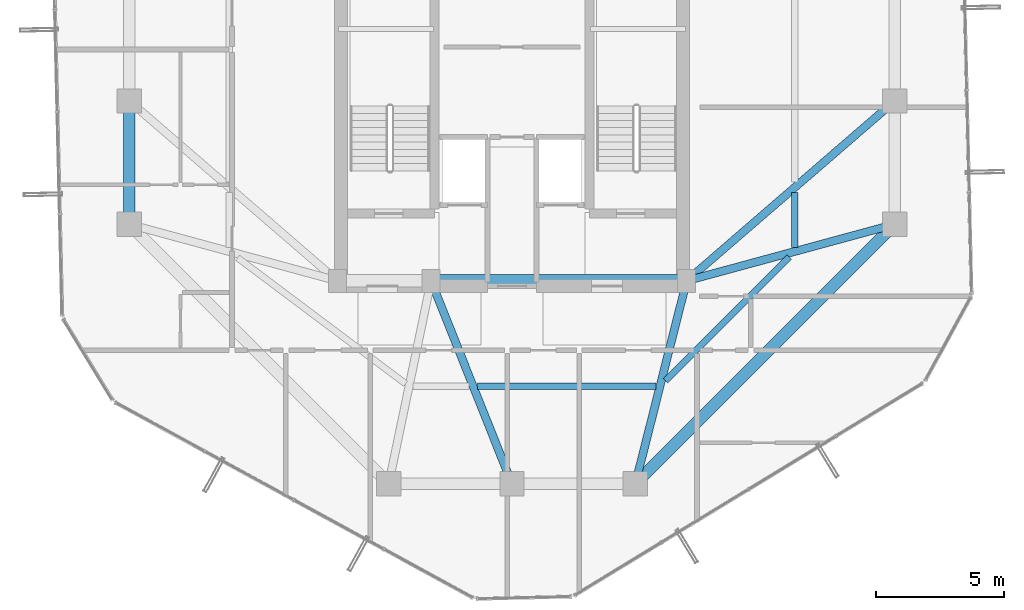
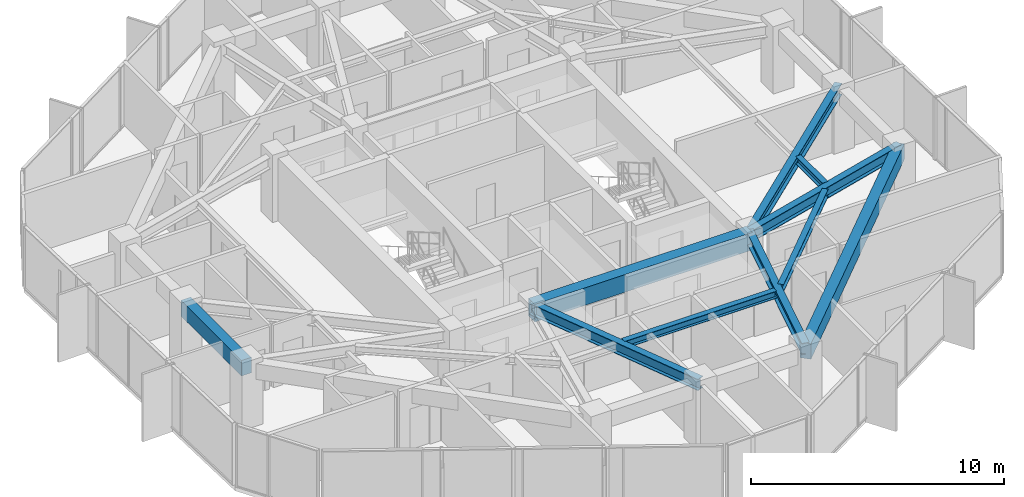
# One storey, part 11 of 32: 10 beams.
"""IFC4 building model written with IfcOpenShell, lengths in metres."""

from ifc_helpers import new_model, si_unit, direction, frame, origin, origin_2d, place, context, subcontext, project, spatial, rectangle, i_section, extrude, material, material_profile, profile_set, type_object, element, save


model = new_model("IFC4")

# Units and contexts
model_context = context("Model", 3, precision=1e-05, world=origin(), true_north=direction((0.0, 1.0)))
body_context = subcontext(model_context, "Body", "Model", "MODEL_VIEW")
ifc_project = project(units=[si_unit("LENGTHUNIT", "METRE"), si_unit("AREAUNIT", "SQUARE_METRE"), si_unit("VOLUMEUNIT", "CUBIC_METRE"), si_unit("PLANEANGLEUNIT", "RADIAN"), si_unit("MASSUNIT", "GRAM", prefix="KILO")], contexts=[model_context])

# Site, building, storey
site_placement = place(None, origin())
site = spatial("IfcSite", under=ifc_project, at=site_placement, CompositionType="ELEMENT")
building_placement = place(site_placement, origin())
building = spatial("IfcBuilding", under=site, at=building_placement, Name="Veraguas Prism Commons", CompositionType="ELEMENT")
storey_placement = place(building_placement, frame((0.0, 0.0, 201.60009765625)))
storey = spatial("IfcBuildingStorey", under=building, at=storey_placement, Name="L57", CompositionType="ELEMENT", Elevation=201.60009765625)

# Beams
ifc_material_1 = material(Name="Concrete C50/60", Category="concrete")
ifc_material_profile_1 = material_profile(ifc_material_1, rectangle(XDim=0.5, YDim=0.85009765625, at=origin_2d()), Name="RC500X850")
ifc_profile_set_1 = profile_set([ifc_material_profile_1], Name="Concrete C50/60")
beam_type_1 = type_object("IfcBeamType", Name="Core Coupling Beam RC 500x850", PredefinedType="BEAM", material=ifc_profile_set_1)
beam_1_placement = place(storey_placement, frame((20.85009765625, 17.0, 2.58984375), z_axis=(1.0, 0.0, 0.0), x_axis=(0.0, 1.0, 0.0)))
element("IfcBeam", 1, at=beam_1_placement, inside=storey, type_object=beam_type_1, Name="Core Coupling Beam L57-CRS2", PredefinedType="BEAM", context=body_context, shape_type="SweptSolid", body=[
    extrude(rectangle(XDim=0.5, YDim=0.85009765625, at=origin_2d()), origin(), (0.0, 0.0, 1.0), 9.949951171875),
])
ifc_material_profile_2 = material_profile(ifc_material_1, rectangle(XDim=0.449951171875, YDim=0.75, at=origin_2d()), Name="RC450X750")
ifc_profile_set_2 = profile_set([ifc_material_profile_2], Name="Concrete C50/60")
beam_type_2 = type_object("IfcBeamType", Name="Perimeter Spandrel Upper RC 450x750", PredefinedType="SPANDREL", material=ifc_profile_set_2)
beam_2_placement = place(storey_placement, frame((9.10009765625, 24.0, 2.639892578125), z_axis=(0.0, -1.0, 0.0), x_axis=(1.0, 0.0, 0.0)))
element("IfcBeam", 2, at=beam_2_placement, inside=storey, type_object=beam_type_2, Name="Perimeter Spandrel Beam L57-SP08", PredefinedType="SPANDREL", context=body_context, shape_type="SweptSolid", body=[
    extrude(rectangle(XDim=0.449951171875, YDim=0.75, at=origin_2d()), origin(), (0.0, 0.0, 1.0), 4.800048828125),
])
beam_3_placement = place(storey_placement, frame((28.800048828125, 9.10009765625, 2.639892578125), z_axis=(0.707106781187, 0.707106781187, 0.0), x_axis=(-0.707106781187, 0.707106781187, 0.0)))
element("IfcBeam", 3, at=beam_3_placement, inside=storey, type_object=beam_type_2, Name="Perimeter Spandrel Beam L57-SP12", PredefinedType="SPANDREL", context=body_context, shape_type="SweptSolid", body=[
    extrude(rectangle(XDim=0.449951171875, YDim=0.75, at=origin_2d()), origin(), (0.0, 0.0, 1.0), 14.283447265625),
])
ifc_material_2 = material(Name="Steel ASTM A992 Grade 50", Category="steel")
ifc_material_profile_3 = material_profile(ifc_material_2, i_section(OverallWidth=0.25390625, OverallDepth=0.35302734375, WebThickness=0.009521484375, FlangeThickness=0.016357421875, at=origin_2d()), Name="W360X91")
ifc_profile_set_3 = profile_set([ifc_material_profile_3], Name="Steel ASTM A992 Grade 50")
beam_type_3 = type_object("IfcBeamType", Name="Upper Floor Joist W360x91", PredefinedType="JOIST", material=ifc_profile_set_3)
beam_4_placement = place(storey_placement, frame((35.011962890625, 18.302978515625, 2.83837890625), z_axis=(0.0, 1.0, 0.0), x_axis=(-1.0, 0.0, 0.0)))
element("IfcBeam", 4, at=beam_4_placement, inside=storey, type_object=beam_type_3, Name="Composite Floor Joist L57-JS01", PredefinedType="JOIST", context=body_context, shape_type="SweptSolid", body=[
    extrude(i_section(OverallWidth=0.25390625, OverallDepth=0.35302734375, WebThickness=0.009521484375, FlangeThickness=0.016357421875, at=origin_2d()), origin(), (0.0, 0.0, 1.0), 2.134033203125),
])
beam_5_placement = place(storey_placement, frame((22.6533203125, 12.89208984375, 2.83837890625), z_axis=(1.0, 0.0, 0.0), x_axis=(0.0, 1.0, 0.0)))
element("IfcBeam", 5, at=beam_5_placement, inside=storey, type_object=beam_type_3, Name="Composite Floor Joist L57-JS11", PredefinedType="JOIST", context=body_context, shape_type="SweptSolid", body=[
    extrude(i_section(OverallWidth=0.25390625, OverallDepth=0.35302734375, WebThickness=0.009521484375, FlangeThickness=0.016357421875, at=origin_2d()), origin(), (0.0, 0.0, 1.0), 6.948486328125),
])
beam_6_placement = place(storey_placement, frame((29.971923828125, 13.10400390625, 2.83837890625), z_axis=(0.707124682851, 0.707088879069, 0.0), x_axis=(-0.707088879069, 0.707124682851, 0.0)))
element("IfcBeam", 6, at=beam_6_placement, inside=storey, type_object=beam_type_3, Name="Composite Floor Joist L57-JS12", PredefinedType="JOIST", context=body_context, shape_type="SweptSolid", body=[
    extrude(i_section(OverallWidth=0.25390625, OverallDepth=0.35302734375, WebThickness=0.009521484375, FlangeThickness=0.016357421875, at=origin_2d()), origin(), (0.0, 0.0, 1.0), 6.81884765625),
])
ifc_material_profile_4 = material_profile(ifc_material_2, i_section(OverallWidth=0.31103515625, OverallDepth=0.5458984375, WebThickness=0.0146484375, FlangeThickness=0.023681640625, at=origin_2d()), Name="W530X165")
ifc_profile_set_4 = profile_set([ifc_material_profile_4], Name="Steel ASTM A992 Grade 50")
beam_type_4 = type_object("IfcBeamType", Name="Zone 3 Radial Girder W530x165", PredefinedType="BEAM", material=ifc_profile_set_4)
beam_7_placement = place(storey_placement, frame((38.89990234375, 19.199951171875, 2.741943359375), z_axis=(-0.965038506703, -0.262108146725, 0.0), x_axis=(0.262108146725, -0.965038506703, 0.0)))
element("IfcBeam", 7, at=beam_7_placement, inside=storey, type_object=beam_type_4, Name="Radial Floor Girder L57-RD01", PredefinedType="BEAM", context=body_context, shape_type="SweptSolid", body=[
    extrude(i_section(OverallWidth=0.31103515625, OverallDepth=0.5458984375, WebThickness=0.0146484375, FlangeThickness=0.023681640625, at=origin_2d()), origin(), (0.0, 0.0, 1.0), 8.393310546875),
])
beam_8_placement = place(storey_placement, frame((38.89990234375, 24.0, 2.741943359375), z_axis=(-0.756607086554, -0.653869800936, 0.0), x_axis=(0.653869800936, -0.756607086554, 0.0)))
element("IfcBeam", 8, at=beam_8_placement, inside=storey, type_object=beam_type_4, Name="Radial Floor Girder L57-RD02", PredefinedType="BEAM", context=body_context, shape_type="SweptSolid", body=[
    extrude(i_section(OverallWidth=0.31103515625, OverallDepth=0.5458984375, WebThickness=0.0146484375, FlangeThickness=0.023681640625, at=origin_2d()), origin(), (0.0, 0.0, 1.0), 10.70556640625),
])
beam_9_placement = place(storey_placement, frame((24.0, 9.10009765625, 2.741943359375), z_axis=(-0.370370877803, 0.928883960931, 0.0), x_axis=(-0.928883960931, -0.370370877803, 0.0)))
element("IfcBeam", 9, at=beam_9_placement, inside=storey, type_object=beam_type_4, Name="Radial Floor Girder L57-RD11", PredefinedType="BEAM", context=body_context, shape_type="SweptSolid", body=[
    extrude(i_section(OverallWidth=0.31103515625, OverallDepth=0.5458984375, WebThickness=0.0146484375, FlangeThickness=0.023681640625, at=origin_2d()), origin(), (0.0, 0.0, 1.0), 8.504638671875),
])
beam_10_placement = place(storey_placement, frame((28.800048828125, 9.10009765625, 2.741943359375), z_axis=(0.245424718066, 0.969415652732, 0.0), x_axis=(-0.969415652732, 0.245424718066, 0.0)))
element("IfcBeam", 10, at=beam_10_placement, inside=storey, type_object=beam_type_4, Name="Radial Floor Girder L57-RD12", PredefinedType="BEAM", context=body_context, shape_type="SweptSolid", body=[
    extrude(i_section(OverallWidth=0.31103515625, OverallDepth=0.5458984375, WebThickness=0.0146484375, FlangeThickness=0.023681640625, at=origin_2d()), origin(), (0.0, 0.0, 1.0), 8.149169921875),
])

save(model, "model.ifc")
